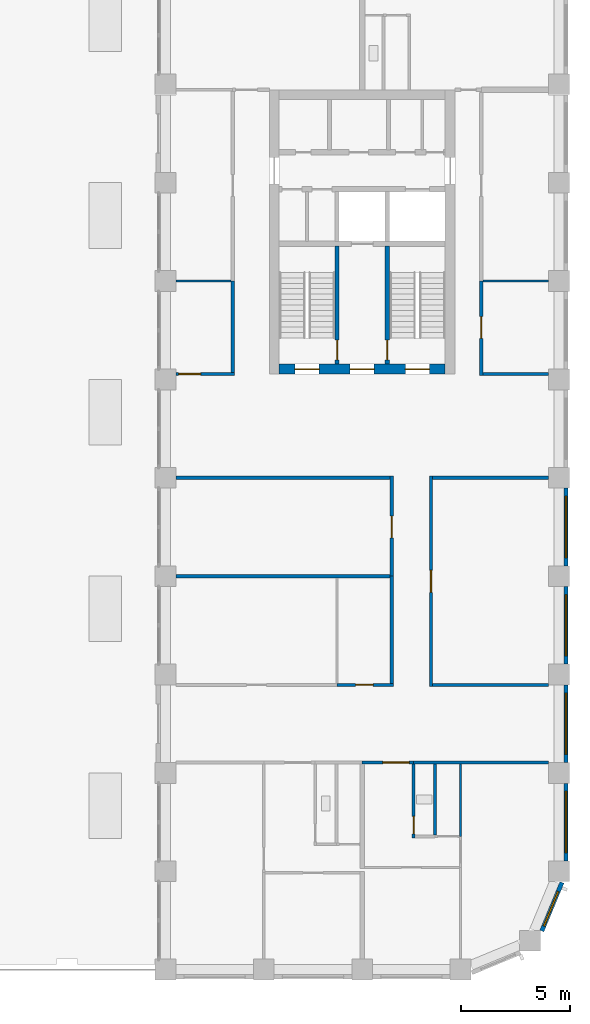
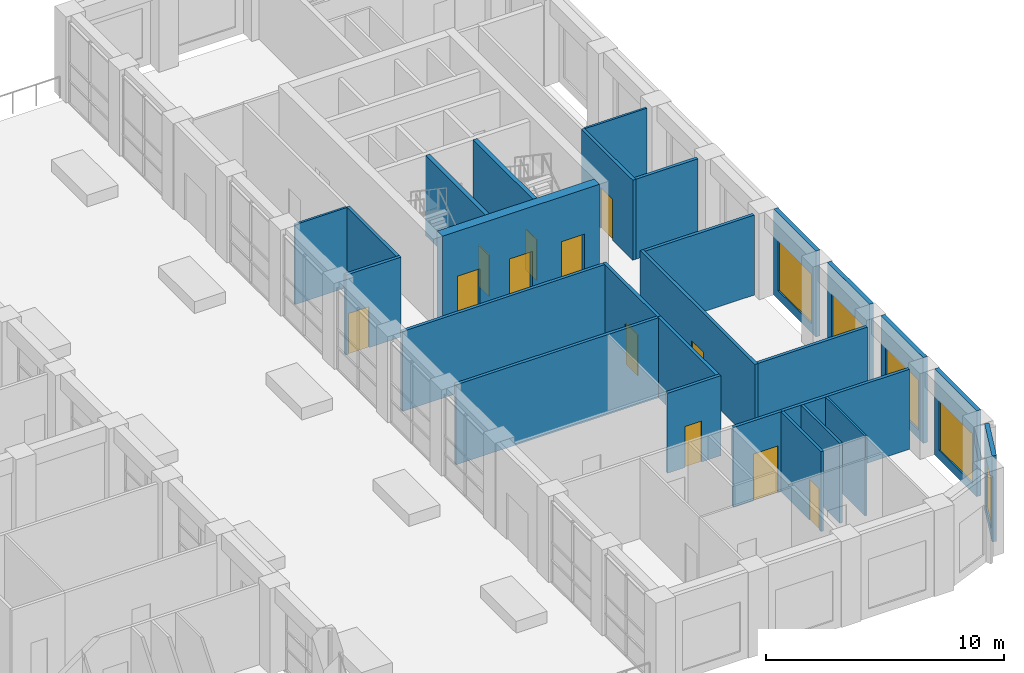
# One storey, part 12 of 20: 27 walls, 12 doors, 5 windows, 17 openings.
"""IFC4 building model written with IfcOpenShell, lengths in metres."""

from ifc_helpers import new_model, si_unit, direction, frame, frame_2d, origin, place, context, subcontext, project, spatial, rectangle, extrude, material, layer, layer_set, type_object, element, fill, save


model = new_model("IFC4")

# Units and contexts
model_context = context("Model", 3, precision=1e-05, world=origin(), true_north=direction((0.0, 1.0)))
body_context = subcontext(model_context, "Body", "Model", "MODEL_VIEW")
ifc_project = project(units=[si_unit("LENGTHUNIT", "METRE"), si_unit("AREAUNIT", "SQUARE_METRE"), si_unit("VOLUMEUNIT", "CUBIC_METRE"), si_unit("PLANEANGLEUNIT", "RADIAN"), si_unit("MASSUNIT", "GRAM", prefix="KILO")], contexts=[model_context])

# Site, building, storey
site_placement = place(None, origin())
site = spatial("IfcSite", under=ifc_project, at=site_placement, CompositionType="ELEMENT")
building_placement = place(site_placement, origin())
building = spatial("IfcBuilding", under=site, at=building_placement, Name="Girih Gate Residences", CompositionType="ELEMENT")
storey_placement = place(building_placement, frame((0.0, 0.0, 146.199951171875)))
storey = spatial("IfcBuildingStorey", under=building, at=storey_placement, Name="L41", CompositionType="ELEMENT", Elevation=146.199951171875)

# Wall
ifc_material_1 = material(Name="Gypsum board on steel studs", Category="steel")
ifc_layer_1 = layer(ifc_material_1, 0.14990234375)
ifc_layer_set_1 = layer_set([ifc_layer_1], Name="Compartment wall 150 mm")
wall_type_1 = type_object("IfcWallType", Name="Compartment wall 150 mm", PredefinedType="PARTITIONING", material=ifc_layer_set_1)
wall_1_placement = place(storey_placement, frame((42.85009765625, 9.47509765625, 0.0), z_axis=(0.0, 0.0, 1.0), x_axis=(1.0, 0.0, 0.0)))
element("IfcWall", 1, at=wall_1_placement, inside=storey, type_object=wall_type_1, Name="L41 partition", PredefinedType="PARTITIONING", context=body_context, shape_type="SweptSolid", body=[
    extrude(rectangle(XDim=6.1748046875, YDim=0.14990234375, at=frame_2d((3.08740234375, 0.0))), origin(), (0.0, 0.0, 1.0), 4.10009765625),
])

# Wall, opening, door
wall_2_placement = place(storey_placement, frame((42.85009765625, 9.47509765625, 0.0), z_axis=(0.0, 0.0, 1.0), x_axis=(-1.0, 0.0, 0.0)))
wall_2 = element("IfcWall", 2, at=wall_2_placement, inside=storey, type_object=wall_type_1, Name="L41 partition", PredefinedType="PARTITIONING", context=body_context, shape_type="SweptSolid", body=[
    extrude(rectangle(XDim=2.35009765625, YDim=0.14990234375, at=frame_2d((1.175048828125, 0.0))), origin(), (0.0, 0.0, 1.0), 4.10009765625),
])
opening_1_placement = place(wall_2_placement, frame((0.199951171875, 0.0, 0.0)))
opening_1 = element("IfcOpeningElement", 3, at=opening_1_placement, cuts=wall_2, Name="Opening A41-016", PredefinedType="OPENING", context=body_context, shape_type="SweptSolid", body=[
    extrude(rectangle(XDim=1.199951171875, YDim=2.39990234375, at=frame_2d((0.60009765625, 1.199951171875))), frame((0.0, 0.0849609375, 0.0), z_axis=(0.0, -1.0, 0.0), x_axis=(1.0, 0.0, 0.0)), (0.0, 0.0, 1.0), 0.169921875),
])
ifc_material_2 = material(Name="Timber, fire-rated core", Category="wood")
door_type_1 = type_object("IfcDoorType", Name="Villa entrance door 1200x2400 FD30S", OperationType="NOTDEFINED", PredefinedType="DOOR", material=ifc_material_2)
door_1_placement = place(opening_1_placement, origin())
door_1 = element("IfcDoor", 4, at=door_1_placement, inside=storey, type_object=door_type_1, Name="Door A41-016", OperationType="SINGLE_SWING_LEFT", OverallHeight=2.39990234375, OverallWidth=1.199951171875, PredefinedType="DOOR", context=body_context, shape_type="SweptSolid", body=[
    extrude(rectangle(XDim=1.199951171875, YDim=2.39990234375, at=frame_2d((0.60009765625, 1.199951171875))), frame((0.0, 0.02490234375, 0.0), z_axis=(0.0, -1.0, 0.0), x_axis=(1.0, 0.0, 0.0)), (0.0, 0.0, 1.0), 0.050048828125),
])
fill(opening_1, door_1)

# Wall
wall_3_placement = place(storey_placement, frame((31.97509765625, 22.5, 0.0), z_axis=(0.0, 0.0, 1.0), x_axis=(1.0, 0.0, 0.0)))
element("IfcWall", 5, at=wall_3_placement, inside=storey, type_object=wall_type_1, Name="L41 partition", PredefinedType="PARTITIONING", context=body_context, shape_type="SweptSolid", body=[
    extrude(rectangle(XDim=9.7998046875, YDim=0.14990234375, at=frame_2d((4.89990234375, 0.0))), origin(), (0.0, 0.0, 1.0), 4.10009765625),
])

# Wall, opening, door
wall_4_placement = place(storey_placement, frame((41.85009765625, 18.0, 0.0), z_axis=(0.0, 0.0, 1.0), x_axis=(0.0, 1.0, 0.0)))
wall_4 = element("IfcWall", 6, at=wall_4_placement, inside=storey, type_object=wall_type_1, Name="L41 partition", PredefinedType="PARTITIONING", context=body_context, shape_type="SweptSolid", body=[
    extrude(rectangle(XDim=4.574951171875, YDim=0.14990234375, at=frame_2d((2.28759765625, 0.0))), origin(), (0.0, 0.0, 1.0), 4.10009765625),
])
opening_2_placement = place(wall_4_placement, frame((1.75, 0.0, 0.0)))
opening_2 = element("IfcOpeningElement", 7, at=opening_2_placement, cuts=wall_4, Name="Opening A41-027", PredefinedType="OPENING", context=body_context, shape_type="SweptSolid", body=[
    extrude(rectangle(XDim=1.0, YDim=2.10009765625, at=frame_2d((0.5, 1.050048828125))), frame((0.0, 0.0849609375, 0.0), z_axis=(0.0, -1.0, 0.0), x_axis=(1.0, 0.0, 0.0)), (0.0, 0.0, 1.0), 0.169921875),
])
door_type_2 = type_object("IfcDoorType", Name="Amenity room door 1000x2100 FD30S", OperationType="NOTDEFINED", PredefinedType="DOOR", material=ifc_material_2)
door_2_placement = place(opening_2_placement, origin())
door_2 = element("IfcDoor", 8, at=door_2_placement, inside=storey, type_object=door_type_2, Name="Door A41-027", OperationType="SINGLE_SWING_LEFT", OverallHeight=2.10009765625, OverallWidth=1.0, PredefinedType="DOOR", context=body_context, shape_type="SweptSolid", body=[
    extrude(rectangle(XDim=1.0, YDim=2.10009765625, at=frame_2d((0.5, 1.050048828125))), frame((0.0, 0.02490234375, 0.0), z_axis=(0.0, -1.0, 0.0), x_axis=(1.0, 0.0, 0.0)), (0.0, 0.0, 1.0), 0.050048828125),
])
fill(opening_2, door_2)

# Wall
wall_5_placement = place(storey_placement, frame((31.97509765625, 18.0, 0.0), z_axis=(0.0, 0.0, 1.0), x_axis=(1.0, 0.0, 0.0)))
element("IfcWall", 9, at=wall_5_placement, inside=storey, type_object=wall_type_1, Name="L41 partition", PredefinedType="PARTITIONING", context=body_context, shape_type="SweptSolid", body=[
    extrude(rectangle(XDim=9.7998046875, YDim=0.14990234375, at=frame_2d((4.89990234375, 0.0))), origin(), (0.0, 0.0, 1.0), 4.10009765625),
])

# Wall, opening, door
wall_6_placement = place(storey_placement, frame((39.35009765625, 13.02490234375, 0.0), z_axis=(0.0, 0.0, 1.0), x_axis=(1.0, 0.0, 0.0)))
wall_6 = element("IfcWall", 10, at=wall_6_placement, inside=storey, type_object=wall_type_1, Name="L41 partition", PredefinedType="PARTITIONING", context=body_context, shape_type="SweptSolid", body=[
    extrude(rectangle(XDim=2.574951171875, YDim=0.14990234375, at=frame_2d((1.28759765625, 0.0))), origin(), (0.0, 0.0, 1.0), 4.10009765625),
])
opening_3_placement = place(wall_6_placement, frame((0.85009765625, 0.0, 0.0)))
opening_3 = element("IfcOpeningElement", 11, at=opening_3_placement, cuts=wall_6, Name="Opening A41-030", PredefinedType="OPENING", context=body_context, shape_type="SweptSolid", body=[
    extrude(rectangle(XDim=0.800048828125, YDim=2.10009765625, at=frame_2d((0.39990234375, 1.050048828125))), frame((0.0, 0.0849609375, 0.0), z_axis=(0.0, -1.0, 0.0), x_axis=(1.0, 0.0, 0.0)), (0.0, 0.0, 1.0), 0.169921875),
])
ifc_material_3 = material(Name="Timber", Category="wood")
door_type_3 = type_object("IfcDoorType", Name="Bathroom door 800x2100", OperationType="NOTDEFINED", PredefinedType="DOOR", material=ifc_material_3)
door_3_placement = place(opening_3_placement, origin())
door_3 = element("IfcDoor", 12, at=door_3_placement, inside=storey, type_object=door_type_3, Name="Door A41-030", OperationType="SINGLE_SWING_LEFT", OverallHeight=2.10009765625, OverallWidth=0.800048828125, PredefinedType="DOOR", context=body_context, shape_type="SweptSolid", body=[
    extrude(rectangle(XDim=0.800048828125, YDim=2.10009765625, at=frame_2d((0.39990234375, 1.050048828125))), frame((0.0, 0.02490234375, 0.0), z_axis=(0.0, -1.0, 0.0), x_axis=(1.0, 0.0, 0.0)), (0.0, 0.0, 1.0), 0.050048828125),
])
fill(opening_3, door_3)

# Wall
wall_7_placement = place(storey_placement, frame((43.72509765625, 13.02490234375, 0.0), z_axis=(0.0, 0.0, 1.0), x_axis=(1.0, 0.0, 0.0)))
element("IfcWall", 13, at=wall_7_placement, inside=storey, type_object=wall_type_1, Name="L41 partition", PredefinedType="PARTITIONING", context=body_context, shape_type="SweptSolid", body=[
    extrude(rectangle(XDim=5.2998046875, YDim=0.14990234375, at=frame_2d((2.64990234375, 0.0))), origin(), (0.0, 0.0, 1.0), 4.10009765625),
])

# Wall, opening, door
wall_8_placement = place(storey_placement, frame((31.97509765625, 27.25, 0.0), z_axis=(0.0, 0.0, 1.0), x_axis=(1.0, 0.0, 0.0)))
wall_8 = element("IfcWall", 14, at=wall_8_placement, inside=storey, type_object=wall_type_1, Name="L41 partition", PredefinedType="PARTITIONING", context=body_context, shape_type="SweptSolid", body=[
    extrude(rectangle(XDim=2.6748046875, YDim=0.14990234375, at=frame_2d((1.33740234375, 0.0))), origin(), (0.0, 0.0, 1.0), 4.10009765625),
])
opening_4_placement = place(wall_8_placement, frame((0.1298828125, 0.0, 0.0)))
opening_4 = element("IfcOpeningElement", 15, at=opening_4_placement, cuts=wall_8, Name="Opening A41-035", PredefinedType="OPENING", context=body_context, shape_type="SweptSolid", body=[
    extrude(rectangle(XDim=1.0, YDim=2.10009765625, at=frame_2d((0.5, 1.050048828125))), frame((0.0, 0.0849609375, 0.0), z_axis=(0.0, -1.0, 0.0), x_axis=(1.0, 0.0, 0.0)), (0.0, 0.0, 1.0), 0.169921875),
])
door_4_placement = place(opening_4_placement, origin())
door_4 = element("IfcDoor", 16, at=door_4_placement, inside=storey, type_object=door_type_2, Name="Door A41-035", OperationType="SINGLE_SWING_LEFT", OverallHeight=2.10009765625, OverallWidth=1.0, PredefinedType="DOOR", context=body_context, shape_type="SweptSolid", body=[
    extrude(rectangle(XDim=1.0, YDim=2.10009765625, at=frame_2d((0.5, 1.050048828125))), frame((0.0, 0.02490234375, 0.0), z_axis=(0.0, -1.0, 0.0), x_axis=(1.0, 0.0, 0.0)), (0.0, 0.0, 1.0), 0.050048828125),
])
fill(opening_4, door_4)

# Wall
wall_9_placement = place(storey_placement, frame((34.574951171875, 27.324951171875, 0.0), z_axis=(0.0, 0.0, 1.0), x_axis=(0.0, 1.0, 0.0)))
element("IfcWall", 17, at=wall_9_placement, inside=storey, type_object=wall_type_1, Name="L41 partition", PredefinedType="PARTITIONING", context=body_context, shape_type="SweptSolid", body=[
    extrude(rectangle(XDim=4.175048828125, YDim=0.14990234375, at=frame_2d((2.08740234375, 0.0))), origin(), (0.0, 0.0, 1.0), 4.10009765625),
])

# Wall, opening, door
wall_10_placement = place(storey_placement, frame((45.949951171875, 31.5, 0.0), z_axis=(0.0, 0.0, 1.0), x_axis=(0.0, -1.0, 0.0)))
wall_10 = element("IfcWall", 18, at=wall_10_placement, inside=storey, type_object=wall_type_1, Name="L41 partition", PredefinedType="PARTITIONING", context=body_context, shape_type="SweptSolid", body=[
    extrude(rectangle(XDim=4.324951171875, YDim=0.14990234375, at=frame_2d((2.16259765625, 0.0))), origin(), (0.0, 0.0, 1.0), 4.10009765625),
])
opening_5_placement = place(wall_10_placement, frame((1.625, 0.0, 0.0)))
opening_5 = element("IfcOpeningElement", 19, at=opening_5_placement, cuts=wall_10, Name="Opening A41-037", PredefinedType="OPENING", context=body_context, shape_type="SweptSolid", body=[
    extrude(rectangle(XDim=1.0, YDim=2.10009765625, at=frame_2d((0.5, 1.050048828125))), frame((0.0, 0.0849609375, 0.0), z_axis=(0.0, -1.0, 0.0), x_axis=(1.0, 0.0, 0.0)), (0.0, 0.0, 1.0), 0.169921875),
])
door_5_placement = place(opening_5_placement, origin())
door_5 = element("IfcDoor", 20, at=door_5_placement, inside=storey, type_object=door_type_2, Name="Door A41-037", OperationType="SINGLE_SWING_LEFT", OverallHeight=2.10009765625, OverallWidth=1.0, PredefinedType="DOOR", context=body_context, shape_type="SweptSolid", body=[
    extrude(rectangle(XDim=1.0, YDim=2.10009765625, at=frame_2d((0.5, 1.050048828125))), frame((0.0, 0.02490234375, 0.0), z_axis=(0.0, -1.0, 0.0), x_axis=(1.0, 0.0, 0.0)), (0.0, 0.0, 1.0), 0.050048828125),
])
fill(opening_5, door_5)

# Walls
wall_11_placement = place(storey_placement, frame((46.02490234375, 27.25, 0.0), z_axis=(0.0, 0.0, 1.0), x_axis=(1.0, 0.0, 0.0)))
element("IfcWall", 21, at=wall_11_placement, inside=storey, type_object=wall_type_1, Name="L41 partition", PredefinedType="PARTITIONING", context=body_context, shape_type="SweptSolid", body=[
    extrude(rectangle(XDim=3.0, YDim=0.14990234375, at=frame_2d((1.5, 0.0))), origin(), (0.0, 0.0, 1.0), 4.10009765625),
])
wall_12_placement = place(storey_placement, frame((43.72509765625, 22.5, 0.0), z_axis=(0.0, 0.0, 1.0), x_axis=(1.0, 0.0, 0.0)))
element("IfcWall", 22, at=wall_12_placement, inside=storey, type_object=wall_type_1, Name="L41 partition", PredefinedType="PARTITIONING", context=body_context, shape_type="SweptSolid", body=[
    extrude(rectangle(XDim=5.2998046875, YDim=0.14990234375, at=frame_2d((2.64990234375, 0.0))), origin(), (0.0, 0.0, 1.0), 4.10009765625),
])
wall_13_placement = place(storey_placement, frame((41.85009765625, 13.10009765625, 0.0), z_axis=(0.0, 0.0, 1.0), x_axis=(0.0, 1.0, 0.0)))
element("IfcWall", 23, at=wall_13_placement, inside=storey, type_object=wall_type_1, Name="L41 partition", PredefinedType="PARTITIONING", context=body_context, shape_type="SweptSolid", body=[
    extrude(rectangle(XDim=4.89990234375, YDim=0.14990234375, at=frame_2d((2.449951171875, 0.0))), origin(), (0.0, 0.0, 1.0), 4.10009765625),
])

# Wall, opening, door
wall_14_placement = place(storey_placement, frame((43.64990234375, 22.574951171875, 0.0), z_axis=(0.0, 0.0, 1.0), x_axis=(0.0, -1.0, 0.0)))
wall_14 = element("IfcWall", 24, at=wall_14_placement, inside=storey, type_object=wall_type_1, Name="L41 partition", PredefinedType="PARTITIONING", context=body_context, shape_type="SweptSolid", body=[
    extrude(rectangle(XDim=9.625, YDim=0.14990234375, at=frame_2d((4.8125, 0.0))), origin(), (0.0, 0.0, 1.0), 4.10009765625),
])
opening_6_placement = place(wall_14_placement, frame((4.3125, 0.0, 0.0)))
opening_6 = element("IfcOpeningElement", 25, at=opening_6_placement, cuts=wall_14, Name="Opening A41-043", PredefinedType="OPENING", context=body_context, shape_type="SweptSolid", body=[
    extrude(rectangle(XDim=1.0, YDim=2.10009765625, at=frame_2d((0.5, 1.050048828125))), frame((0.0, 0.0849609375, 0.0), z_axis=(0.0, -1.0, 0.0), x_axis=(1.0, 0.0, 0.0)), (0.0, 0.0, 1.0), 0.169921875),
])
door_6_placement = place(opening_6_placement, origin())
door_6 = element("IfcDoor", 26, at=door_6_placement, inside=storey, type_object=door_type_2, Name="Door A41-043", OperationType="SINGLE_SWING_RIGHT", OverallHeight=2.10009765625, OverallWidth=1.0, PredefinedType="DOOR", context=body_context, shape_type="SweptSolid", body=[
    extrude(rectangle(XDim=1.0, YDim=2.10009765625, at=frame_2d((0.5, 1.050048828125))), frame((0.0, 0.02490234375, 0.0), z_axis=(0.0, -1.0, 0.0), x_axis=(1.0, 0.0, 0.0)), (0.0, 0.0, 1.0), 0.050048828125),
])
fill(opening_6, door_6)

# Wall, openings, doors
ifc_material_4 = material(Name="Concrete C60/75", Category="concrete")
ifc_layer_2 = layer(ifc_material_4, 0.449951171875)
ifc_layer_set_2 = layer_set([ifc_layer_2], Name="Core wall RC 450 Concrete C60/75")
wall_type_2 = type_object("IfcWallType", Name="Core wall RC 450 Concrete C60/75", PredefinedType="SOLIDWALL", material=ifc_layer_set_2)
wall_15_placement = place(storey_placement, frame((36.699951171875, 27.47509765625, 0.0), z_axis=(0.0, 0.0, 1.0), x_axis=(1.0, 0.0, 0.0)))
wall_15 = element("IfcWall", 27, at=wall_15_placement, inside=storey, type_object=wall_type_2, Name="Core wall E-S L41", PredefinedType="SOLIDWALL", context=body_context, shape_type="SweptSolid", body=[
    extrude(rectangle(XDim=7.60009765625, YDim=0.449951171875, at=frame_2d((3.800048828125, 0.0))), origin(), (0.0, 0.0, 1.0), 4.400146484375),
])
opening_7_placement = place(wall_15_placement, frame((5.77490234375, 0.0, 0.0)))
opening_7 = element("IfcOpeningElement", 28, at=opening_7_placement, cuts=wall_15, Name="Opening D-L41-E-011", PredefinedType="OPENING", context=body_context, shape_type="SweptSolid", body=[
    extrude(rectangle(XDim=1.10009765625, YDim=2.10009765625, at=frame_2d((0.550048828125, 1.050048828125))), frame((0.0, 0.23486328125, 0.0), z_axis=(0.0, -1.0, 0.0), x_axis=(1.0, 0.0, 0.0)), (0.0, 0.0, 1.0), 0.469970703125),
])
opening_8_placement = place(wall_15_placement, frame((3.25, 0.0, 0.0)))
opening_8 = element("IfcOpeningElement", 29, at=opening_8_placement, cuts=wall_15, Name="Opening D-L41-E-012", PredefinedType="OPENING", context=body_context, shape_type="SweptSolid", body=[
    extrude(rectangle(XDim=1.10009765625, YDim=2.10009765625, at=frame_2d((0.550048828125, 1.050048828125))), frame((0.0, 0.23486328125, 0.0), z_axis=(0.0, -1.0, 0.0), x_axis=(1.0, 0.0, 0.0)), (0.0, 0.0, 1.0), 0.469970703125),
])
opening_9_placement = place(wall_15_placement, frame((0.72509765625, 0.0, 0.0)))
opening_9 = element("IfcOpeningElement", 30, at=opening_9_placement, cuts=wall_15, Name="Opening D-L41-E-013", PredefinedType="OPENING", context=body_context, shape_type="SweptSolid", body=[
    extrude(rectangle(XDim=1.10009765625, YDim=2.10009765625, at=frame_2d((0.550048828125, 1.050048828125))), frame((0.0, 0.23486328125, 0.0), z_axis=(0.0, -1.0, 0.0), x_axis=(1.0, 0.0, 0.0)), (0.0, 0.0, 1.0), 0.469970703125),
])
ifc_material_5 = material(Name="Painted steel, fire-resisting", Category="steel")
door_type_4 = type_object("IfcDoorType", Name="Fire door 1100x2100", OperationType="SINGLE_SWING_LEFT", PredefinedType="DOOR", material=ifc_material_5)
door_7_placement = place(opening_7_placement, origin())
door_7 = element("IfcDoor", 31, at=door_7_placement, inside=storey, type_object=door_type_4, Name="L41 E core door sta-out", OperationType="SINGLE_SWING_LEFT", OverallHeight=2.10009765625, OverallWidth=1.10009765625, PredefinedType="DOOR", context=body_context, shape_type="SweptSolid", body=[
    extrude(rectangle(XDim=1.10009765625, YDim=2.10009765625, at=frame_2d((0.550048828125, 1.050048828125))), frame((0.0, 0.02490234375, 0.0), z_axis=(0.0, -1.0, 0.0), x_axis=(1.0, 0.0, 0.0)), (0.0, 0.0, 1.0), 0.050048828125),
])
fill(opening_7, door_7)
door_8_placement = place(opening_8_placement, origin())
door_8 = element("IfcDoor", 32, at=door_8_placement, inside=storey, type_object=door_type_4, Name="L41 E core door ffl-out", OperationType="SINGLE_SWING_LEFT", OverallHeight=2.10009765625, OverallWidth=1.10009765625, PredefinedType="DOOR", context=body_context, shape_type="SweptSolid", body=[
    extrude(rectangle(XDim=1.10009765625, YDim=2.10009765625, at=frame_2d((0.550048828125, 1.050048828125))), frame((0.0, 0.02490234375, 0.0), z_axis=(0.0, -1.0, 0.0), x_axis=(1.0, 0.0, 0.0)), (0.0, 0.0, 1.0), 0.050048828125),
])
fill(opening_8, door_8)
door_9_placement = place(opening_9_placement, origin())
door_9 = element("IfcDoor", 33, at=door_9_placement, inside=storey, type_object=door_type_4, Name="L41 E core door stb-out", OperationType="SINGLE_SWING_LEFT", OverallHeight=2.10009765625, OverallWidth=1.10009765625, PredefinedType="DOOR", context=body_context, shape_type="SweptSolid", body=[
    extrude(rectangle(XDim=1.10009765625, YDim=2.10009765625, at=frame_2d((0.550048828125, 1.050048828125))), frame((0.0, 0.02490234375, 0.0), z_axis=(0.0, -1.0, 0.0), x_axis=(1.0, 0.0, 0.0)), (0.0, 0.0, 1.0), 0.050048828125),
])
fill(opening_9, door_9)

# Walls
ifc_layer_3 = layer(ifc_material_1, 0.10009765625)
ifc_layer_set_3 = layer_set([ifc_layer_3], Name="Partition 100 mm")
wall_type_3 = type_object("IfcWallType", Name="Partition 100 mm", PredefinedType="PARTITIONING", material=ifc_layer_set_3)
wall_16_placement = place(storey_placement, frame((45.0, 6.094970703125, 0.0), z_axis=(0.0, 0.0, 1.0), x_axis=(0.0, 1.0, 0.0)))
element("IfcWall", 34, at=wall_16_placement, inside=storey, type_object=wall_type_3, Name="L41 partition", PredefinedType="PARTITIONING", context=body_context, shape_type="SweptSolid", body=[
    extrude(rectangle(XDim=3.304931640625, YDim=0.10009765625, at=frame_2d((1.65234375, 0.0))), origin(), (0.0, 0.0, 1.0), 4.10009765625),
])
wall_17_placement = place(storey_placement, frame((31.97509765625, 31.5, 0.0), z_axis=(0.0, 0.0, 1.0), x_axis=(1.0, 0.0, 0.0)))
element("IfcWall", 35, at=wall_17_placement, inside=storey, type_object=wall_type_3, Name="L41 partition", PredefinedType="PARTITIONING", context=body_context, shape_type="SweptSolid", body=[
    extrude(rectangle(XDim=2.52490234375, YDim=0.10009765625, at=frame_2d((1.262451171875, 0.0))), origin(), (0.0, 0.0, 1.0), 4.10009765625),
])
wall_18_placement = place(storey_placement, frame((46.02490234375, 31.5, 0.0), z_axis=(0.0, 0.0, 1.0), x_axis=(1.0, 0.0, 0.0)))
element("IfcWall", 36, at=wall_18_placement, inside=storey, type_object=wall_type_3, Name="L41 partition", PredefinedType="PARTITIONING", context=body_context, shape_type="SweptSolid", body=[
    extrude(rectangle(XDim=3.0, YDim=0.10009765625, at=frame_2d((1.5, 0.0))), origin(), (0.0, 0.0, 1.0), 4.10009765625),
])

# Wall, opening, window
ifc_material_6 = material(Name="Precast concrete C50/60", Category="concrete")
ifc_layer_4 = layer(ifc_material_6, 0.06005859375, Name="Outer leaf")
ifc_material_7 = material(Name="Rigid PIR insulation")
ifc_layer_5 = layer(ifc_material_7, 0.090087890625, Name="Insulation")
ifc_material_8 = material(Name="Precast concrete C40/50", Category="concrete")
ifc_layer_6 = layer(ifc_material_8, 0.050048828125, Name="Inner leaf")
ifc_layer_set_4 = layer_set([ifc_layer_4, ifc_layer_5, ifc_layer_6], Name="Precast concrete C50/60 external wall 200")
wall_type_4 = type_object("IfcWallType", Name="Precast concrete C50/60 external wall 200", PredefinedType="SOLIDWALL", material=ifc_layer_set_4)
wall_19_placement = place(storey_placement, frame((49.63916015625, 3.98681640625, 0.0), z_axis=(0.0, 0.0, 1.0), x_axis=(-0.382680855588, -0.923880599843, 0.0)))
wall_19 = element("IfcWall", 37, at=wall_19_placement, inside=storey, type_object=wall_type_4, Name="External wall SE0482_0013.0", PredefinedType="SOLIDWALL", context=body_context, shape_type="SweptSolid", body=[
    extrude(rectangle(XDim=2.402587890625, YDim=0.199951171875, at=frame_2d((1.201171875, 0.0))), origin(), (0.0, 0.0, 1.0), 4.400146484375),
])
opening_10_placement = place(wall_19_placement, frame((0.451171875, 0.0, 0.449951171875)))
opening_10 = element("IfcOpeningElement", 38, at=opening_10_placement, cuts=wall_19, Name="Opening W-2F", PredefinedType="OPENING", context=body_context, shape_type="SweptSolid", body=[
    extrude(rectangle(XDim=1.699951171875, YDim=2.550048828125, at=frame_2d((0.85009765625, 1.27490234375))), frame((0.0, 0.10986328125, 0.0), z_axis=(0.0, -1.0, 0.0), x_axis=(1.0, 0.0, 0.0)), (0.0, 0.0, 1.0), 0.219970703125),
])
ifc_material_9 = material(Name="Double glazing in aluminium frame", Category="aluminium")
window_type_1 = type_object("IfcWindowType", Name="Window W-2F 1700x2550", PartitioningType="SINGLE_PANEL", PredefinedType="WINDOW", material=ifc_material_9)
window_1_placement = place(opening_10_placement, origin())
window_1 = element("IfcWindow", 39, at=window_1_placement, inside=storey, type_object=window_type_1, Name="Window W-2F SE0482_0013.0", OverallHeight=2.550048828125, OverallWidth=1.699951171875, PartitioningType="SINGLE_PANEL", PredefinedType="WINDOW", context=body_context, shape_type="SweptSolid", body=[
    extrude(rectangle(XDim=1.699951171875, YDim=2.550048828125, at=frame_2d((0.85009765625, 1.27490234375))), frame((0.0, 0.030029296875, 0.0), z_axis=(0.0, -1.0, 0.0), x_axis=(1.0, 0.0, 0.0)), (0.0, 0.0, 1.0), 0.06005859375),
])
fill(opening_10, window_1)

wall_20_placement = place(storey_placement, frame((49.824951171875, 8.52490234375, 0.0), z_axis=(0.0, 0.0, 1.0), x_axis=(0.0, -1.0, 0.0)))
wall_20 = element("IfcWall", 40, at=wall_20_placement, inside=storey, type_object=wall_type_4, Name="External wall E0495_0045.0", PredefinedType="SOLIDWALL", context=body_context, shape_type="SweptSolid", body=[
    extrude(rectangle(XDim=3.5498046875, YDim=0.199951171875, at=frame_2d((1.77490234375, 0.0))), origin(), (0.0, 0.0, 1.0), 4.400146484375),
])
opening_11_placement = place(wall_20_placement, frame((0.375, 0.0, 0.449951171875)))
opening_11 = element("IfcOpeningElement", 41, at=opening_11_placement, cuts=wall_20, Name="Opening W-6A", PredefinedType="OPENING", context=body_context, shape_type="SweptSolid", body=[
    extrude(rectangle(XDim=2.800048828125, YDim=2.550048828125, at=frame_2d((1.39990234375, 1.27490234375))), frame((0.0, 0.10986328125, 0.0), z_axis=(0.0, -1.0, 0.0), x_axis=(1.0, 0.0, 0.0)), (0.0, 0.0, 1.0), 0.219970703125),
])
window_type_2 = type_object("IfcWindowType", Name="Window W-6A 2800x2550", PartitioningType="SINGLE_PANEL", PredefinedType="WINDOW", material=ifc_material_9)
window_2_placement = place(opening_11_placement, origin())
window_2 = element("IfcWindow", 42, at=window_2_placement, inside=storey, type_object=window_type_2, Name="Window W-6A E0495_0045.0", OverallHeight=2.550048828125, OverallWidth=2.800048828125, PartitioningType="SINGLE_PANEL", PredefinedType="WINDOW", context=body_context, shape_type="SweptSolid", body=[
    extrude(rectangle(XDim=2.800048828125, YDim=2.550048828125, at=frame_2d((1.39990234375, 1.27490234375))), frame((0.0, 0.030029296875, 0.0), z_axis=(0.0, -1.0, 0.0), x_axis=(1.0, 0.0, 0.0)), (0.0, 0.0, 1.0), 0.06005859375),
])
fill(opening_11, window_2)

wall_21_placement = place(storey_placement, frame((49.824951171875, 13.02490234375, 0.0), z_axis=(0.0, 0.0, 1.0), x_axis=(0.0, -1.0, 0.0)))
wall_21 = element("IfcWall", 43, at=wall_21_placement, inside=storey, type_object=wall_type_4, Name="External wall E0495_0045.1", PredefinedType="SOLIDWALL", context=body_context, shape_type="SweptSolid", body=[
    extrude(rectangle(XDim=3.5498046875, YDim=0.199951171875, at=frame_2d((1.77490234375, 0.0))), origin(), (0.0, 0.0, 1.0), 4.400146484375),
])
opening_12_placement = place(wall_21_placement, frame((0.375, 0.0, 0.449951171875)))
opening_12 = element("IfcOpeningElement", 44, at=opening_12_placement, cuts=wall_21, Name="Opening W-6A", PredefinedType="OPENING", context=body_context, shape_type="SweptSolid", body=[
    extrude(rectangle(XDim=2.800048828125, YDim=2.550048828125, at=frame_2d((1.39990234375, 1.27490234375))), frame((0.0, 0.10986328125, 0.0), z_axis=(0.0, -1.0, 0.0), x_axis=(1.0, 0.0, 0.0)), (0.0, 0.0, 1.0), 0.219970703125),
])
window_3_placement = place(opening_12_placement, origin())
window_3 = element("IfcWindow", 45, at=window_3_placement, inside=storey, type_object=window_type_2, Name="Window W-6A E0495_0045.1", OverallHeight=2.550048828125, OverallWidth=2.800048828125, PartitioningType="SINGLE_PANEL", PredefinedType="WINDOW", context=body_context, shape_type="SweptSolid", body=[
    extrude(rectangle(XDim=2.800048828125, YDim=2.550048828125, at=frame_2d((1.39990234375, 1.27490234375))), frame((0.0, 0.030029296875, 0.0), z_axis=(0.0, -1.0, 0.0), x_axis=(1.0, 0.0, 0.0)), (0.0, 0.0, 1.0), 0.06005859375),
])
fill(opening_12, window_3)

wall_22_placement = place(storey_placement, frame((49.824951171875, 17.52490234375, 0.0), z_axis=(0.0, 0.0, 1.0), x_axis=(0.0, -1.0, 0.0)))
wall_22 = element("IfcWall", 46, at=wall_22_placement, inside=storey, type_object=wall_type_4, Name="External wall E0495_0045.2", PredefinedType="SOLIDWALL", context=body_context, shape_type="SweptSolid", body=[
    extrude(rectangle(XDim=3.5498046875, YDim=0.199951171875, at=frame_2d((1.77490234375, 0.0))), origin(), (0.0, 0.0, 1.0), 4.400146484375),
])
opening_13_placement = place(wall_22_placement, frame((0.375, 0.0, 0.449951171875)))
opening_13 = element("IfcOpeningElement", 47, at=opening_13_placement, cuts=wall_22, Name="Opening W-6A", PredefinedType="OPENING", context=body_context, shape_type="SweptSolid", body=[
    extrude(rectangle(XDim=2.800048828125, YDim=2.550048828125, at=frame_2d((1.39990234375, 1.27490234375))), frame((0.0, 0.10986328125, 0.0), z_axis=(0.0, -1.0, 0.0), x_axis=(1.0, 0.0, 0.0)), (0.0, 0.0, 1.0), 0.219970703125),
])
window_4_placement = place(opening_13_placement, origin())
window_4 = element("IfcWindow", 48, at=window_4_placement, inside=storey, type_object=window_type_2, Name="Window W-6A E0495_0045.2", OverallHeight=2.550048828125, OverallWidth=2.800048828125, PartitioningType="SINGLE_PANEL", PredefinedType="WINDOW", context=body_context, shape_type="SweptSolid", body=[
    extrude(rectangle(XDim=2.800048828125, YDim=2.550048828125, at=frame_2d((1.39990234375, 1.27490234375))), frame((0.0, 0.030029296875, 0.0), z_axis=(0.0, -1.0, 0.0), x_axis=(1.0, 0.0, 0.0)), (0.0, 0.0, 1.0), 0.06005859375),
])
fill(opening_13, window_4)

wall_23_placement = place(storey_placement, frame((49.824951171875, 22.02490234375, 0.0), z_axis=(0.0, 0.0, 1.0), x_axis=(0.0, -1.0, 0.0)))
wall_23 = element("IfcWall", 49, at=wall_23_placement, inside=storey, type_object=wall_type_4, Name="External wall E0495_0045.3", PredefinedType="SOLIDWALL", context=body_context, shape_type="SweptSolid", body=[
    extrude(rectangle(XDim=3.5498046875, YDim=0.199951171875, at=frame_2d((1.77490234375, 0.0))), origin(), (0.0, 0.0, 1.0), 4.400146484375),
])
opening_14_placement = place(wall_23_placement, frame((0.375, 0.0, 0.449951171875)))
opening_14 = element("IfcOpeningElement", 50, at=opening_14_placement, cuts=wall_23, Name="Opening W-6A", PredefinedType="OPENING", context=body_context, shape_type="SweptSolid", body=[
    extrude(rectangle(XDim=2.800048828125, YDim=2.550048828125, at=frame_2d((1.39990234375, 1.27490234375))), frame((0.0, 0.10986328125, 0.0), z_axis=(0.0, -1.0, 0.0), x_axis=(1.0, 0.0, 0.0)), (0.0, 0.0, 1.0), 0.219970703125),
])
window_5_placement = place(opening_14_placement, origin())
window_5 = element("IfcWindow", 51, at=window_5_placement, inside=storey, type_object=window_type_2, Name="Window W-6A E0495_0045.3", OverallHeight=2.550048828125, OverallWidth=2.800048828125, PartitioningType="SINGLE_PANEL", PredefinedType="WINDOW", context=body_context, shape_type="SweptSolid", body=[
    extrude(rectangle(XDim=2.800048828125, YDim=2.550048828125, at=frame_2d((1.39990234375, 1.27490234375))), frame((0.0, 0.030029296875, 0.0), z_axis=(0.0, -1.0, 0.0), x_axis=(1.0, 0.0, 0.0)), (0.0, 0.0, 1.0), 0.06005859375),
])
fill(opening_14, window_5)

# Wall, opening, door
ifc_material_10 = material(Name="Concrete C40/50", Category="concrete")
ifc_layer_7 = layer(ifc_material_10, 0.199951171875)
ifc_layer_set_5 = layer_set([ifc_layer_7], Name="Shaft wall 200")
wall_type_5 = type_object("IfcWallType", Name="Shaft wall 200", PredefinedType="SOLIDWALL", material=ifc_layer_set_5)
wall_24_placement = place(storey_placement, frame((41.64990234375, 27.699951171875, 0.0), z_axis=(0.0, 0.0, 1.0), x_axis=(0.0, 1.0, 0.0)))
wall_24 = element("IfcWall", 52, at=wall_24_placement, inside=storey, type_object=wall_type_5, Name="L41 E core wall V1a", PredefinedType="SOLIDWALL", context=body_context, shape_type="SweptSolid", body=[
    extrude(rectangle(XDim=5.400146484375, YDim=0.199951171875, at=frame_2d((2.7001953125, 0.0))), origin(), (0.0, 0.0, 1.0), 4.10009765625),
])
opening_15_placement = place(wall_24_placement, frame((0.199951171875, 0.0, 0.0)))
opening_15 = element("IfcOpeningElement", 53, at=opening_15_placement, cuts=wall_24, Name="Opening D-L41-E-001", PredefinedType="OPENING", context=body_context, shape_type="SweptSolid", body=[
    extrude(rectangle(XDim=0.89990234375, YDim=2.10009765625, at=frame_2d((0.449951171875, 1.050048828125))), frame((0.0, 0.10986328125, 0.0), z_axis=(0.0, -1.0, 0.0), x_axis=(1.0, 0.0, 0.0)), (0.0, 0.0, 1.0), 0.219970703125),
])
door_type_5 = type_object("IfcDoorType", Name="Fire door 900x2100", OperationType="SINGLE_SWING_LEFT", PredefinedType="DOOR", material=ifc_material_5)
door_10_placement = place(opening_15_placement, origin())
door_10 = element("IfcDoor", 54, at=door_10_placement, inside=storey, type_object=door_type_5, Name="L41 E door stair 1 to firefighting lobby", OperationType="SINGLE_SWING_LEFT", OverallHeight=2.10009765625, OverallWidth=0.89990234375, PredefinedType="DOOR", context=body_context, shape_type="SweptSolid", body=[
    extrude(rectangle(XDim=0.89990234375, YDim=2.10009765625, at=frame_2d((0.449951171875, 1.050048828125))), frame((0.0, 0.02490234375, 0.0), z_axis=(0.0, -1.0, 0.0), x_axis=(1.0, 0.0, 0.0)), (0.0, 0.0, 1.0), 0.050048828125),
])
fill(opening_15, door_10)

wall_25_placement = place(storey_placement, frame((39.35009765625, 27.699951171875, 0.0), z_axis=(0.0, 0.0, 1.0), x_axis=(0.0, 1.0, 0.0)))
wall_25 = element("IfcWall", 55, at=wall_25_placement, inside=storey, type_object=wall_type_5, Name="L41 E core wall V2a", PredefinedType="SOLIDWALL", context=body_context, shape_type="SweptSolid", body=[
    extrude(rectangle(XDim=5.400146484375, YDim=0.199951171875, at=frame_2d((2.7001953125, 0.0))), origin(), (0.0, 0.0, 1.0), 4.10009765625),
])
opening_16_placement = place(wall_25_placement, frame((0.199951171875, 0.0, 0.0)))
opening_16 = element("IfcOpeningElement", 56, at=opening_16_placement, cuts=wall_25, Name="Opening D-L41-E-002", PredefinedType="OPENING", context=body_context, shape_type="SweptSolid", body=[
    extrude(rectangle(XDim=0.89990234375, YDim=2.10009765625, at=frame_2d((0.449951171875, 1.050048828125))), frame((0.0, 0.10986328125, 0.0), z_axis=(0.0, -1.0, 0.0), x_axis=(1.0, 0.0, 0.0)), (0.0, 0.0, 1.0), 0.219970703125),
])
door_11_placement = place(opening_16_placement, origin())
door_11 = element("IfcDoor", 57, at=door_11_placement, inside=storey, type_object=door_type_5, Name="L41 E door stair 2 to firefighting lobby", OperationType="SINGLE_SWING_LEFT", OverallHeight=2.10009765625, OverallWidth=0.89990234375, PredefinedType="DOOR", context=body_context, shape_type="SweptSolid", body=[
    extrude(rectangle(XDim=0.89990234375, YDim=2.10009765625, at=frame_2d((0.449951171875, 1.050048828125))), frame((0.0, 0.02490234375, 0.0), z_axis=(0.0, -1.0, 0.0), x_axis=(1.0, 0.0, 0.0)), (0.0, 0.0, 1.0), 0.050048828125),
])
fill(opening_16, door_11)

ifc_layer_8 = layer(ifc_material_1, 0.125)
ifc_layer_set_6 = layer_set([ifc_layer_8], Name="Wet room wall 125 mm")
wall_type_6 = type_object("IfcWallType", Name="Wet room wall 125 mm", PredefinedType="PARTITIONING", material=ifc_layer_set_6)
wall_26_placement = place(storey_placement, frame((42.85009765625, 9.39990234375, 0.0), z_axis=(0.0, 0.0, 1.0), x_axis=(0.0, -1.0, 0.0)))
wall_26 = element("IfcWall", 58, at=wall_26_placement, inside=storey, type_object=wall_type_6, Name="L41 partition", PredefinedType="PARTITIONING", context=body_context, shape_type="SweptSolid", body=[
    extrude(rectangle(XDim=3.367431640625, YDim=0.125, at=frame_2d((1.68359375, 0.0))), origin(), (0.0, 0.0, 1.0), 4.10009765625),
])
opening_17_placement = place(wall_26_placement, frame((2.385009765625, 0.0, 0.0)))
opening_17 = element("IfcOpeningElement", 59, at=opening_17_placement, cuts=wall_26, Name="Opening A41-012", PredefinedType="OPENING", context=body_context, shape_type="SweptSolid", body=[
    extrude(rectangle(XDim=0.800048828125, YDim=2.10009765625, at=frame_2d((0.39990234375, 1.050048828125))), frame((0.0, 0.072509765625, 0.0), z_axis=(0.0, -1.0, 0.0), x_axis=(1.0, 0.0, 0.0)), (0.0, 0.0, 1.0), 0.14501953125),
])
door_12_placement = place(opening_17_placement, origin())
door_12 = element("IfcDoor", 60, at=door_12_placement, inside=storey, type_object=door_type_3, Name="Door A41-012", OperationType="SINGLE_SWING_RIGHT", OverallHeight=2.10009765625, OverallWidth=0.800048828125, PredefinedType="DOOR", context=body_context, shape_type="SweptSolid", body=[
    extrude(rectangle(XDim=0.800048828125, YDim=2.10009765625, at=frame_2d((0.39990234375, 1.050048828125))), frame((0.0, 0.02490234375, 0.0), z_axis=(0.0, -1.0, 0.0), x_axis=(1.0, 0.0, 0.0)), (0.0, 0.0, 1.0), 0.050048828125),
])
fill(opening_17, door_12)

# Wall
wall_27_placement = place(storey_placement, frame((43.826904296875, 6.157470703125, 0.0), z_axis=(0.0, 0.0, 1.0), x_axis=(0.0, 1.0, 0.0)))
element("IfcWall", 61, at=wall_27_placement, inside=storey, type_object=wall_type_6, Name="L41 partition", PredefinedType="PARTITIONING", context=body_context, shape_type="SweptSolid", body=[
    extrude(rectangle(XDim=3.242431640625, YDim=0.125, at=frame_2d((1.62109375, 0.0))), origin(), (0.0, 0.0, 1.0), 4.10009765625),
])

save(model, "model.ifc")
